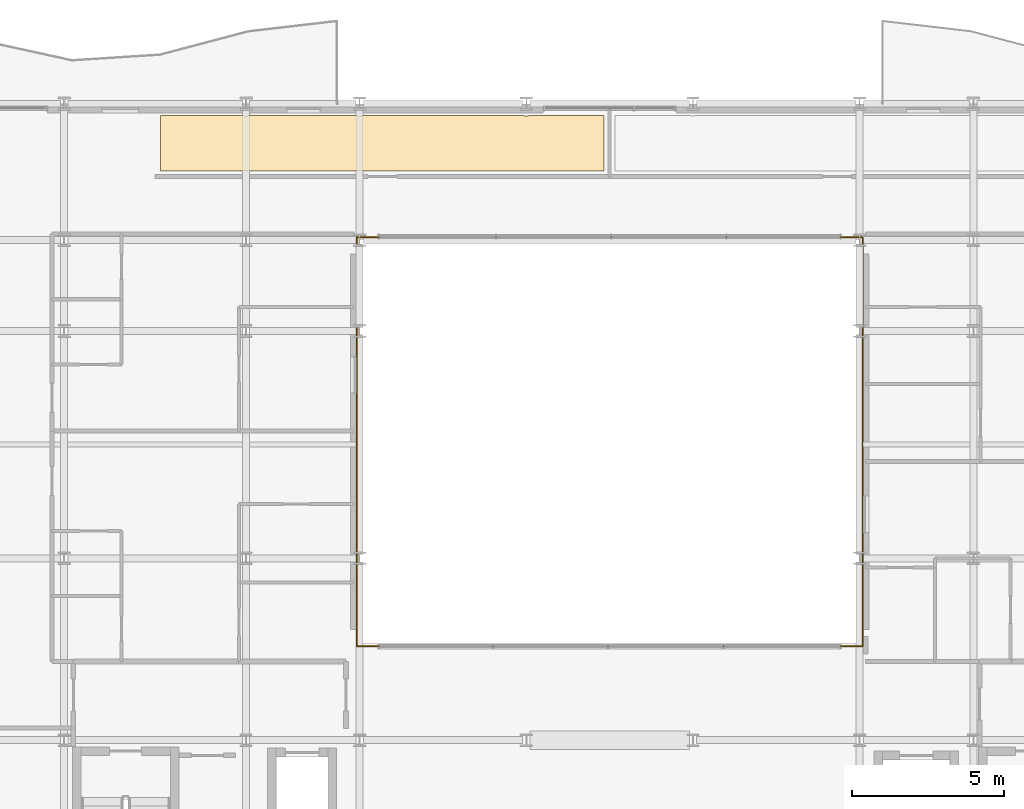
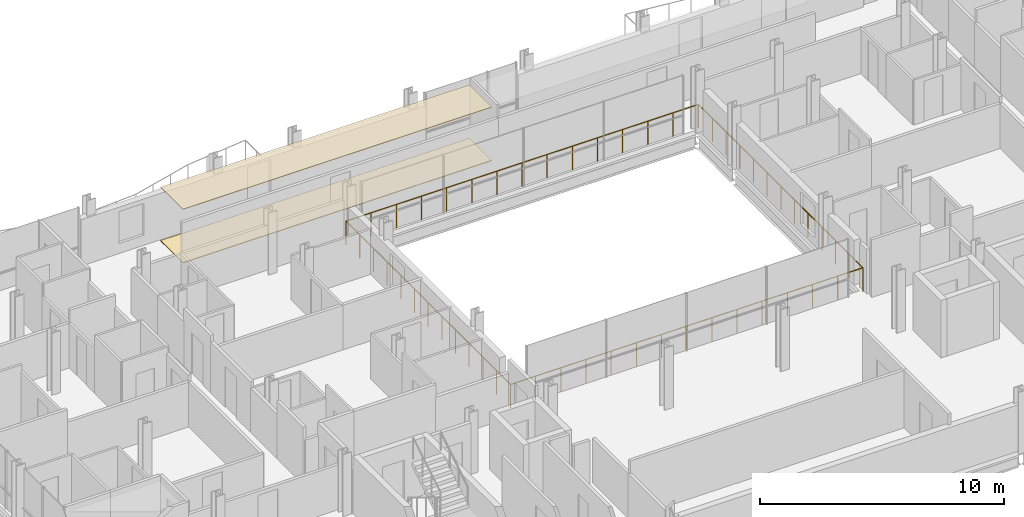
# One storey, part 39 of 41: 2 coverings, 2 railings.
"""IFC4 building model written with IfcOpenShell, lengths in metres."""

from ifc_helpers import new_model, si_unit, direction, frame, origin, origin_2d, place, context, subcontext, project, spatial, polyline, circle, outline, extrude, material, layer, layer_set, type_object, element, save


model = new_model("IFC4")

# Units and contexts
model_context = context("Model", 3, precision=1e-05, world=origin(), true_north=direction((0.0, 1.0)))
body_context = subcontext(model_context, "Body", "Model", "MODEL_VIEW")
ifc_project = project(units=[si_unit("LENGTHUNIT", "METRE"), si_unit("AREAUNIT", "SQUARE_METRE"), si_unit("VOLUMEUNIT", "CUBIC_METRE"), si_unit("PLANEANGLEUNIT", "RADIAN"), si_unit("MASSUNIT", "GRAM", prefix="KILO")], contexts=[model_context])

# Site, building, storey
site_placement = place(None, origin())
site = spatial("IfcSite", under=ifc_project, at=site_placement, CompositionType="ELEMENT")
building_placement = place(site_placement, origin())
building = spatial("IfcBuilding", under=site, at=building_placement, Name="Brevholm Reach", CompositionType="ELEMENT")
storey_placement = place(building_placement, frame((0.0, 0.0, 100.39990234375)))
storey = spatial("IfcBuildingStorey", under=building, at=storey_placement, Name="L29", CompositionType="ELEMENT", Elevation=100.39990234375)

# Coverings
ifc_material_1 = material(Name="Moisture-Resistant Skimmed Gypsum Plasterboard Ceiling", Category="gypsum")
ifc_layer_1 = layer(ifc_material_1, 0.030029296875)
ifc_layer_set_1 = layer_set([ifc_layer_1], Name="Moisture-Resistant Skimmed Gypsum Plasterboard Ceiling")
covering_type_1 = type_object("IfcCoveringType", Name="COV-CLG-GYP", PredefinedType="CEILING", material=ifc_layer_set_1)
covering_1_placement = place(storey_placement, frame((0.0, 0.0, 2.68017578125)))
element("IfcCovering", 1, at=covering_1_placement, inside=storey, type_object=covering_type_1, Name="L29 Suspended Ceiling L29-77", PredefinedType="CEILING", context=body_context, shape_type="SweptSolid", body=[
    extrude(outline(polyline([(15.179931640625, 30.6201171875), (17.876220703125, 30.6201171875), (17.8837890625, 30.6171875), (17.922119140625, 30.607666015625), (17.960693359375, 30.601806640625), (18.0, 30.60009765625), (18.039306640625, 30.601806640625), (18.077880859375, 30.607666015625), (18.1162109375, 30.6171875), (18.123779296875, 30.6201171875), (21.626220703125, 30.6201171875), (21.6337890625, 30.6171875), (21.672119140625, 30.607666015625), (21.710693359375, 30.601806640625), (21.75, 30.60009765625), (21.789306640625, 30.601806640625), (21.827880859375, 30.607666015625), (21.8662109375, 30.6171875), (21.873779296875, 30.6201171875), (27.126220703125, 30.6201171875), (27.1337890625, 30.6171875), (27.172119140625, 30.607666015625), (27.210693359375, 30.601806640625), (27.25, 30.60009765625), (27.289306640625, 30.601806640625), (27.327880859375, 30.607666015625), (27.3662109375, 30.6171875), (27.373779296875, 30.6201171875), (29.820068359375, 30.6201171875), (29.820068359375, 28.783935546875), (15.179931640625, 28.783935546875), (15.179931640625, 30.6201171875)])), origin(), (0.0, 0.0, 1.0), 0.030029296875),
])
ifc_material_2 = material(Name="Honed Portland-Aggregate Resin Terrazzo Flooring", Category="concrete")
ifc_layer_2 = layer(ifc_material_2, 0.031982421875)
ifc_layer_set_2 = layer_set([ifc_layer_2], Name="Honed Portland-Aggregate Resin Terrazzo Flooring")
covering_type_2 = type_object("IfcCoveringType", Name="COV-FLR-TRZ", PredefinedType="FLOORING", material=ifc_layer_set_2)
covering_2_placement = place(storey_placement, origin())
element("IfcCovering", 2, at=covering_2_placement, inside=storey, type_object=covering_type_2, Name="L29 Floor Finish L29-77", PredefinedType="FLOORING", context=body_context, shape_type="SweptSolid", body=[
    extrude(outline(polyline([(15.179931640625, 30.6201171875), (17.876220703125, 30.6201171875), (17.8837890625, 30.6171875), (17.922119140625, 30.607666015625), (17.960693359375, 30.601806640625), (18.0, 30.60009765625), (18.039306640625, 30.601806640625), (18.077880859375, 30.607666015625), (18.1162109375, 30.6171875), (18.123779296875, 30.6201171875), (21.626220703125, 30.6201171875), (21.6337890625, 30.6171875), (21.672119140625, 30.607666015625), (21.710693359375, 30.601806640625), (21.75, 30.60009765625), (21.789306640625, 30.601806640625), (21.827880859375, 30.607666015625), (21.8662109375, 30.6171875), (21.873779296875, 30.6201171875), (27.126220703125, 30.6201171875), (27.1337890625, 30.6171875), (27.172119140625, 30.607666015625), (27.210693359375, 30.601806640625), (27.25, 30.60009765625), (27.289306640625, 30.601806640625), (27.327880859375, 30.607666015625), (27.3662109375, 30.6171875), (27.373779296875, 30.6201171875), (29.820068359375, 30.6201171875), (29.820068359375, 28.783935546875), (15.179931640625, 28.783935546875), (15.179931640625, 30.6201171875)])), origin(), (0.0, 0.0, 1.0), 0.031982421875),
])

# Railings
ifc_material_3 = material(Name="Brushed Stainless Steel EN 1.4401 and Laminated Glass", Category="steel")
railing_type = type_object("IfcRailingType", Name="RAL-TERR-1200", PredefinedType="BALUSTRADE", material=ifc_material_3)
railing_1_placement = place(storey_placement, frame((21.64990234375, 13.10009765625, 0.0)))
element("IfcRailing", 3, at=railing_1_placement, inside=storey, type_object=railing_type, Name="L29 Guard Balustrade RAL-L29-AT-VOID-SW", PredefinedType="BALUSTRADE", context=body_context, shape_type="SweptSolid", body=[
    extrude(circle(Radius=0.02392578125, at=origin_2d()), frame((0.0, 0.0, 1.17578125), z_axis=(1.0, 0.0, 0.0), x_axis=(0.0, 1.0, 0.0)), (0.0, 0.0, 1.0), 16.7001953125),
    extrude(circle(Radius=0.02392578125, at=origin_2d()), frame((16.7001953125, 0.0, 1.17578125), z_axis=(0.0, 1.0, 0.0), x_axis=(-1.0, 0.0, 0.0)), (0.0, 0.0, 1.0), 13.47998046875),
    extrude(circle(Radius=0.02099609375, at=origin_2d()), origin(), (0.0, 0.0, 1.0), 1.15185546875),
    extrude(circle(Radius=0.02099609375, at=origin_2d()), frame((1.19287109375, 0.0, 0.0)), (0.0, 0.0, 1.0), 1.15185546875),
    extrude(circle(Radius=0.02099609375, at=origin_2d()), frame((2.3857421875, 0.0, 0.0)), (0.0, 0.0, 1.0), 1.15185546875),
    extrude(circle(Radius=0.02099609375, at=origin_2d()), frame((3.57861328125, 0.0, 0.0)), (0.0, 0.0, 1.0), 1.15185546875),
    extrude(circle(Radius=0.02099609375, at=origin_2d()), frame((4.771484375, 0.0, 0.0)), (0.0, 0.0, 1.0), 1.15185546875),
    extrude(circle(Radius=0.02099609375, at=origin_2d()), frame((5.96435546875, 0.0, 0.0)), (0.0, 0.0, 1.0), 1.15185546875),
    extrude(circle(Radius=0.02099609375, at=origin_2d()), frame((7.1572265625, 0.0, 0.0)), (0.0, 0.0, 1.0), 1.15185546875),
    extrude(circle(Radius=0.02099609375, at=origin_2d()), frame((8.35009765625, 0.0, 0.0)), (0.0, 0.0, 1.0), 1.15185546875),
    extrude(circle(Radius=0.02099609375, at=origin_2d()), frame((9.54296875, 0.0, 0.0)), (0.0, 0.0, 1.0), 1.15185546875),
    extrude(circle(Radius=0.02099609375, at=origin_2d()), frame((10.73583984375, 0.0, 0.0)), (0.0, 0.0, 1.0), 1.15185546875),
    extrude(circle(Radius=0.02099609375, at=origin_2d()), frame((11.9287109375, 0.0, 0.0)), (0.0, 0.0, 1.0), 1.15185546875),
    extrude(circle(Radius=0.02099609375, at=origin_2d()), frame((13.12158203125, 0.0, 0.0)), (0.0, 0.0, 1.0), 1.15185546875),
    extrude(circle(Radius=0.02099609375, at=origin_2d()), frame((14.314453125, 0.0, 0.0)), (0.0, 0.0, 1.0), 1.15185546875),
    extrude(circle(Radius=0.02099609375, at=origin_2d()), frame((15.50732421875, 0.0, 0.0)), (0.0, 0.0, 1.0), 1.15185546875),
    extrude(circle(Radius=0.02099609375, at=origin_2d()), frame((16.7001953125, 0.0, 0.0)), (0.0, 0.0, 1.0), 1.15185546875),
    extrude(circle(Radius=0.02099609375, at=origin_2d()), frame((16.7001953125, 1.123291015625, 0.0)), (0.0, 0.0, 1.0), 1.15185546875),
    extrude(circle(Radius=0.02099609375, at=origin_2d()), frame((16.7001953125, 2.24658203125, 0.0)), (0.0, 0.0, 1.0), 1.15185546875),
    extrude(circle(Radius=0.02099609375, at=origin_2d()), frame((16.7001953125, 3.3701171875, 0.0)), (0.0, 0.0, 1.0), 1.15185546875),
    extrude(circle(Radius=0.02099609375, at=origin_2d()), frame((16.7001953125, 4.493408203125, 0.0)), (0.0, 0.0, 1.0), 1.15185546875),
    extrude(circle(Radius=0.02099609375, at=origin_2d()), frame((16.7001953125, 5.61669921875, 0.0)), (0.0, 0.0, 1.0), 1.15185546875),
    extrude(circle(Radius=0.02099609375, at=origin_2d()), frame((16.7001953125, 6.739990234375, 0.0)), (0.0, 0.0, 1.0), 1.15185546875),
    extrude(circle(Radius=0.02099609375, at=origin_2d()), frame((16.7001953125, 7.86328125, 0.0)), (0.0, 0.0, 1.0), 1.15185546875),
    extrude(circle(Radius=0.02099609375, at=origin_2d()), frame((16.7001953125, 8.986572265625, 0.0)), (0.0, 0.0, 1.0), 1.15185546875),
    extrude(circle(Radius=0.02099609375, at=origin_2d()), frame((16.7001953125, 10.10986328125, 0.0)), (0.0, 0.0, 1.0), 1.15185546875),
    extrude(circle(Radius=0.02099609375, at=origin_2d()), frame((16.7001953125, 11.2333984375, 0.0)), (0.0, 0.0, 1.0), 1.15185546875),
    extrude(circle(Radius=0.02099609375, at=origin_2d()), frame((16.7001953125, 12.356689453125, 0.0)), (0.0, 0.0, 1.0), 1.15185546875),
    extrude(circle(Radius=0.02099609375, at=origin_2d()), frame((16.7001953125, 13.47998046875, 0.0)), (0.0, 0.0, 1.0), 1.15185546875),
])
railing_2_placement = place(storey_placement, frame((38.330078125, 26.60009765625, 0.0)))
element("IfcRailing", 4, at=railing_2_placement, inside=storey, type_object=railing_type, Name="L29 Guard Balustrade RAL-L29-AT-VOID-NE", PredefinedType="BALUSTRADE", context=body_context, shape_type="SweptSolid", body=[
    extrude(circle(Radius=0.02392578125, at=origin_2d()), frame((0.0, 0.0, 1.17578125), z_axis=(-1.0, 0.0, 0.0), x_axis=(0.0, -1.0, 0.0)), (0.0, 0.0, 1.0), 16.68017578125),
    extrude(circle(Radius=0.02392578125, at=origin_2d()), frame((-16.68017578125, 0.0, 1.17578125), z_axis=(0.0, -1.0, 0.0), x_axis=(1.0, 0.0, 0.0)), (0.0, 0.0, 1.0), 13.47998046875),
    extrude(circle(Radius=0.02099609375, at=origin_2d()), origin(), (0.0, 0.0, 1.0), 1.15185546875),
    extrude(circle(Radius=0.02099609375, at=origin_2d()), frame((-1.19140625, 0.0, 0.0)), (0.0, 0.0, 1.0), 1.15185546875),
    extrude(circle(Radius=0.02099609375, at=origin_2d()), frame((-2.3828125, 0.0, 0.0)), (0.0, 0.0, 1.0), 1.15185546875),
    extrude(circle(Radius=0.02099609375, at=origin_2d()), frame((-3.57421875, 0.0, 0.0)), (0.0, 0.0, 1.0), 1.15185546875),
    extrude(circle(Radius=0.02099609375, at=origin_2d()), frame((-4.765869140625, 0.0, 0.0)), (0.0, 0.0, 1.0), 1.15185546875),
    extrude(circle(Radius=0.02099609375, at=origin_2d()), frame((-5.957275390625, 0.0, 0.0)), (0.0, 0.0, 1.0), 1.15185546875),
    extrude(circle(Radius=0.02099609375, at=origin_2d()), frame((-7.148681640625, 0.0, 0.0)), (0.0, 0.0, 1.0), 1.15185546875),
    extrude(circle(Radius=0.02099609375, at=origin_2d()), frame((-8.340087890625, 0.0, 0.0)), (0.0, 0.0, 1.0), 1.15185546875),
    extrude(circle(Radius=0.02099609375, at=origin_2d()), frame((-9.531494140625, 0.0, 0.0)), (0.0, 0.0, 1.0), 1.15185546875),
    extrude(circle(Radius=0.02099609375, at=origin_2d()), frame((-10.722900390625, 0.0, 0.0)), (0.0, 0.0, 1.0), 1.15185546875),
    extrude(circle(Radius=0.02099609375, at=origin_2d()), frame((-11.914306640625, 0.0, 0.0)), (0.0, 0.0, 1.0), 1.15185546875),
    extrude(circle(Radius=0.02099609375, at=origin_2d()), frame((-13.10595703125, 0.0, 0.0)), (0.0, 0.0, 1.0), 1.15185546875),
    extrude(circle(Radius=0.02099609375, at=origin_2d()), frame((-14.29736328125, 0.0, 0.0)), (0.0, 0.0, 1.0), 1.15185546875),
    extrude(circle(Radius=0.02099609375, at=origin_2d()), frame((-15.48876953125, 0.0, 0.0)), (0.0, 0.0, 1.0), 1.15185546875),
    extrude(circle(Radius=0.02099609375, at=origin_2d()), frame((-16.68017578125, 0.0, 0.0)), (0.0, 0.0, 1.0), 1.15185546875),
    extrude(circle(Radius=0.02099609375, at=origin_2d()), frame((-16.68017578125, -1.123291015625, 0.0)), (0.0, 0.0, 1.0), 1.15185546875),
    extrude(circle(Radius=0.02099609375, at=origin_2d()), frame((-16.68017578125, -2.24658203125, 0.0)), (0.0, 0.0, 1.0), 1.15185546875),
    extrude(circle(Radius=0.02099609375, at=origin_2d()), frame((-16.68017578125, -3.3701171875, 0.0)), (0.0, 0.0, 1.0), 1.15185546875),
    extrude(circle(Radius=0.02099609375, at=origin_2d()), frame((-16.68017578125, -4.493408203125, 0.0)), (0.0, 0.0, 1.0), 1.15185546875),
    extrude(circle(Radius=0.02099609375, at=origin_2d()), frame((-16.68017578125, -5.61669921875, 0.0)), (0.0, 0.0, 1.0), 1.15185546875),
    extrude(circle(Radius=0.02099609375, at=origin_2d()), frame((-16.68017578125, -6.739990234375, 0.0)), (0.0, 0.0, 1.0), 1.15185546875),
    extrude(circle(Radius=0.02099609375, at=origin_2d()), frame((-16.68017578125, -7.86328125, 0.0)), (0.0, 0.0, 1.0), 1.15185546875),
    extrude(circle(Radius=0.02099609375, at=origin_2d()), frame((-16.68017578125, -8.986572265625, 0.0)), (0.0, 0.0, 1.0), 1.15185546875),
    extrude(circle(Radius=0.02099609375, at=origin_2d()), frame((-16.68017578125, -10.10986328125, 0.0)), (0.0, 0.0, 1.0), 1.15185546875),
    extrude(circle(Radius=0.02099609375, at=origin_2d()), frame((-16.68017578125, -11.2333984375, 0.0)), (0.0, 0.0, 1.0), 1.15185546875),
    extrude(circle(Radius=0.02099609375, at=origin_2d()), frame((-16.68017578125, -12.356689453125, 0.0)), (0.0, 0.0, 1.0), 1.15185546875),
    extrude(circle(Radius=0.02099609375, at=origin_2d()), frame((-16.68017578125, -13.47998046875, 0.0)), (0.0, 0.0, 1.0), 1.15185546875),
])

save(model, "model.ifc")
